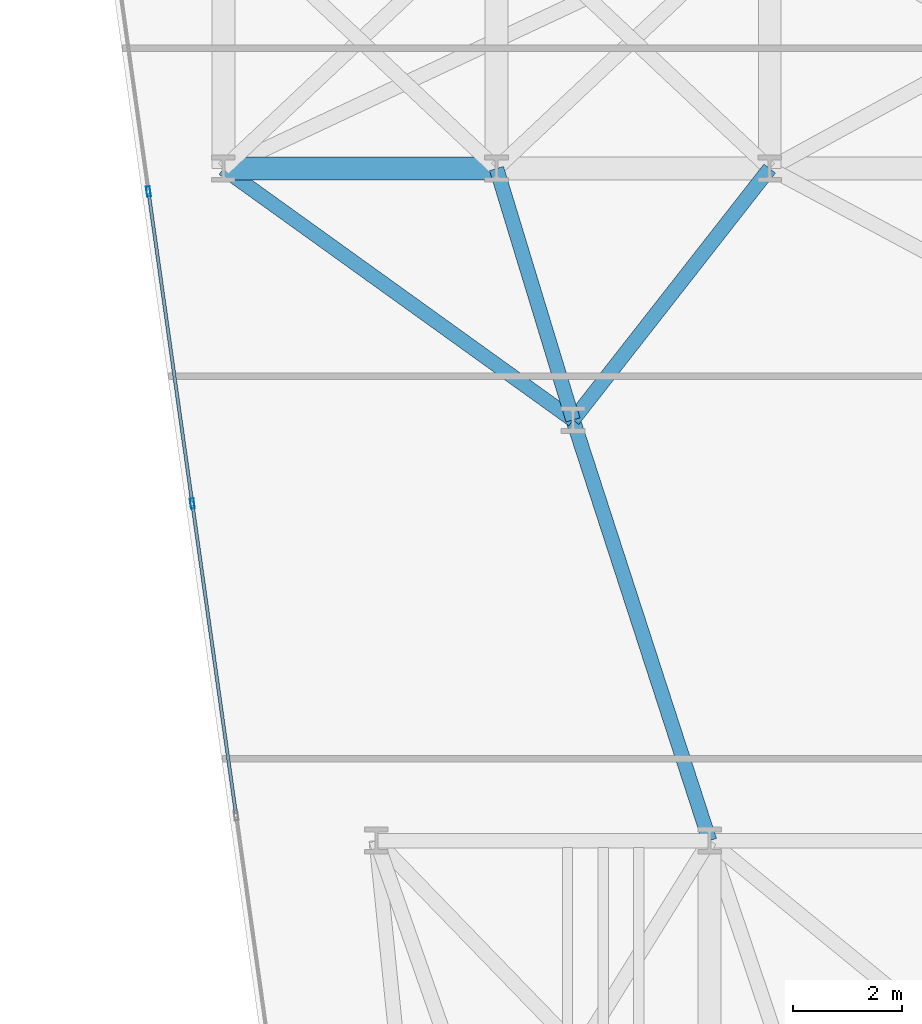
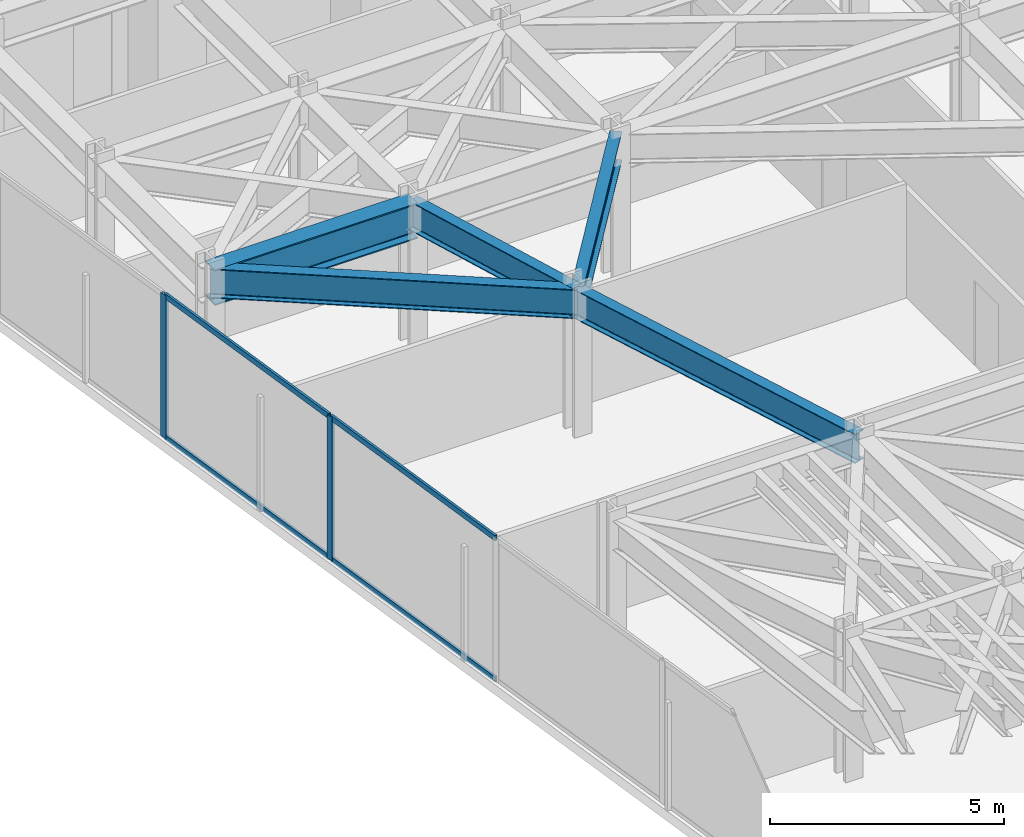
# One storey, part 7 of 24: 6 members, 5 beams, 1 element without a shape of its own.
"""IFC4 building model written with IfcOpenShell, lengths in metres."""

from ifc_helpers import new_model, si_unit, direction, frame, origin, origin_2d, place, context, subcontext, project, spatial, hollow_rectangle, i_section, extrude, material, layer, layer_set, material_profile, profile_set, type_object, element, aggregate, save


model = new_model("IFC4")

# Units and contexts
model_context = context("Model", 3, precision=1e-05, world=origin(), true_north=direction((0.0, 1.0)))
body_context = subcontext(model_context, "Body", "Model", "MODEL_VIEW")
ifc_project = project(units=[si_unit("LENGTHUNIT", "METRE"), si_unit("AREAUNIT", "SQUARE_METRE"), si_unit("VOLUMEUNIT", "CUBIC_METRE"), si_unit("PLANEANGLEUNIT", "RADIAN"), si_unit("MASSUNIT", "GRAM", prefix="KILO")], contexts=[model_context])

# Site, building, storey
site_placement = place(None, origin())
site = spatial("IfcSite", under=ifc_project, at=site_placement, CompositionType="ELEMENT")
building_placement = place(site_placement, origin())
building = spatial("IfcBuilding", under=site, at=building_placement, Name="Kravanh Interchange Tower", CompositionType="ELEMENT")
storey_placement = place(building_placement, frame((0.0, 0.0, 61.5)))
storey = spatial("IfcBuildingStorey", under=building, at=storey_placement, Name="L14", CompositionType="ELEMENT", Elevation=61.5)

# Curtain wall, members
ifc_material_1 = material(Name="Anodised Bronze Aluminium", Category="aluminium")
ifc_layer = layer(ifc_material_1, 0.179931640625)
ifc_layer_set = layer_set([ifc_layer], Name="Unitised Curtain Wall System CW-Z1 Lower Office")
curtain_wall_type = type_object("IfcCurtainWallType", Name="Unitised Curtain Wall System CW-Z1 Lower Office", PredefinedType="NOTDEFINED", material=ifc_layer_set)
curtain_wall_placement = place(storey_placement, origin())
curtain_wall = element("IfcCurtainWall", 1, at=curtain_wall_placement, inside=storey, type_object=curtain_wall_type, Name="L14 Unitised Curtain Wall CW-L14-01", PredefinedType="NOTDEFINED")
ifc_material_2 = material(Name="Anodised Bronze Aluminium", Category="aluminium")
ifc_material_profile_1 = material_profile(ifc_material_2, hollow_rectangle(XDim=0.070068359375, YDim=0.179931640625, WallThickness=0.00390625, at=origin_2d()), Name="ALU70X180X4")
ifc_profile_set_1 = profile_set([ifc_material_profile_1], Name="Anodised Bronze Aluminium")
member_type_1 = type_object("IfcMemberType", Name="Curtain Wall Mullion ALU70X180X4 Bronze", PredefinedType="MULLION", material=ifc_profile_set_1)
member_1_placement = place(storey_placement, frame((8.03271484375, 20.66845703125, 0.0), z_axis=(0.0, 0.0, 1.0), x_axis=(-0.990267585682, -0.139176538065, 0.0)))
member_1 = element("IfcMember", 2, at=member_1_placement, type_object=member_type_1, Name="CW-Z1 mullion 4", PredefinedType="MULLION", context=body_context, shape_type="SweptSolid", body=[
    extrude(hollow_rectangle(XDim=0.070068359375, YDim=0.179931640625, WallThickness=0.00390625, at=origin_2d()), origin(), (0.0, 0.0, 1.0), 3.739990234375),
])
member_2_placement = place(storey_placement, frame((7.22998046875, 26.37890625, 0.0), z_axis=(0.0, 0.0, 1.0), x_axis=(-0.990267585682, -0.139176538065, 0.0)))
member_2 = element("IfcMember", 3, at=member_2_placement, type_object=member_type_1, Name="CW-Z1 mullion 5", PredefinedType="MULLION", context=body_context, shape_type="SweptSolid", body=[
    extrude(hollow_rectangle(XDim=0.070068359375, YDim=0.179931640625, WallThickness=0.00390625, at=origin_2d()), origin(), (0.0, 0.0, 1.0), 3.739990234375),
])
ifc_material_3 = material(Name="Anodised Bronze Aluminium", Category="aluminium")
ifc_material_profile_2 = material_profile(ifc_material_3, hollow_rectangle(XDim=0.06005859375, YDim=0.139892578125, WallThickness=0.00390625, at=origin_2d()), Name="ALU60X140X4")
ifc_profile_set_2 = profile_set([ifc_material_profile_2], Name="Anodised Bronze Aluminium")
member_type_2 = type_object("IfcMemberType", Name="Curtain Wall Transom ALU60X140X4 Bronze", PredefinedType="USERDEFINED", material=ifc_profile_set_2)
member_3_placement = place(storey_placement, frame((8.830322265625, 14.992431640625, 0.030029296875), z_axis=(-0.139153051789, 0.990270886262, 0.0), x_axis=(-0.990270886262, -0.139153051789, 0.0)))
member_3 = element("IfcMember", 4, at=member_3_placement, type_object=member_type_2, Name="CW-Z1 transom 3.1", ObjectType="TRANSOM", PredefinedType="USERDEFINED", context=body_context, shape_type="SweptSolid", body=[
    extrude(hollow_rectangle(XDim=0.06005859375, YDim=0.139892578125, WallThickness=0.00390625, at=origin_2d()), origin(), (0.0, 0.0, 1.0), 5.69677734375),
])
member_4_placement = place(storey_placement, frame((8.830322265625, 14.992431640625, 3.7099609375), z_axis=(-0.139153051789, 0.990270886262, 0.0), x_axis=(-0.990270886262, -0.139153051789, 0.0)))
member_4 = element("IfcMember", 5, at=member_4_placement, type_object=member_type_2, Name="CW-Z1 transom 3.2", ObjectType="TRANSOM", PredefinedType="USERDEFINED", context=body_context, shape_type="SweptSolid", body=[
    extrude(hollow_rectangle(XDim=0.06005859375, YDim=0.139892578125, WallThickness=0.00390625, at=origin_2d()), origin(), (0.0, 0.0, 1.0), 5.69677734375),
])
member_5_placement = place(storey_placement, frame((8.02783203125, 20.703125, 0.030029296875), z_axis=(-0.139200984921, 0.990264149506, 0.0), x_axis=(-0.990264149506, -0.139200984921, 0.0)))
member_5 = element("IfcMember", 6, at=member_5_placement, type_object=member_type_2, Name="CW-Z1 transom 4.1", ObjectType="TRANSOM", PredefinedType="USERDEFINED", context=body_context, shape_type="SweptSolid", body=[
    extrude(hollow_rectangle(XDim=0.06005859375, YDim=0.139892578125, WallThickness=0.00390625, at=origin_2d()), origin(), (0.0, 0.0, 1.0), 5.696533203125),
])
member_6_placement = place(storey_placement, frame((8.02783203125, 20.703125, 3.7099609375), z_axis=(-0.139200984921, 0.990264149506, 0.0), x_axis=(-0.990264149506, -0.139200984921, 0.0)))
member_6 = element("IfcMember", 7, at=member_6_placement, type_object=member_type_2, Name="CW-Z1 transom 4.2", ObjectType="TRANSOM", PredefinedType="USERDEFINED", context=body_context, shape_type="SweptSolid", body=[
    extrude(hollow_rectangle(XDim=0.06005859375, YDim=0.139892578125, WallThickness=0.00390625, at=origin_2d()), origin(), (0.0, 0.0, 1.0), 5.696533203125),
])
aggregate(curtain_wall, [member_1, member_2, member_3, member_4, member_5, member_6])

# Beams
ifc_material_4 = material(Name="Structural Steel S355", Category="steel")
ifc_material_profile_3 = material_profile(ifc_material_4, i_section(OverallWidth=0.41796875, OverallDepth=0.927001953125, WebThickness=0.019287109375, FlangeThickness=0.031982421875, FilletRadius=0.028076171875, at=origin_2d()), Name="W36X231")
ifc_profile_set_3 = profile_set([ifc_material_profile_3], Name="Structural Steel S355")
beam_type_1 = type_object("IfcBeamType", Name="Floor Beam W36X231 Structural Steel S355", PredefinedType="BEAM", material=ifc_profile_set_3)
beam_1_placement = place(storey_placement, frame((8.60009765625, 26.800048828125, 3.276611328125), z_axis=(1.0, 0.0, 0.0), x_axis=(0.0, 1.0, 0.0)))
element("IfcBeam", 8, at=beam_1_placement, inside=storey, type_object=beam_type_1, Name="L14 Primary Floor Girder 67", PredefinedType="BEAM", context=body_context, shape_type="SweptSolid", body=[
    extrude(i_section(OverallWidth=0.41796875, OverallDepth=0.927001953125, WebThickness=0.019287109375, FlangeThickness=0.031982421875, FilletRadius=0.028076171875, at=origin_2d()), origin(), (0.0, 0.0, 1.0), 5.0),
])
ifc_material_5 = material(Name="Structural Steel S355", Category="steel")
ifc_material_profile_4 = material_profile(ifc_material_5, i_section(OverallWidth=0.26708984375, OverallDepth=0.761962890625, WebThickness=0.014404296875, FlangeThickness=0.021484375, FilletRadius=0.02490234375, at=origin_2d()), Name="W30X116")
ifc_profile_set_4 = profile_set([ifc_material_profile_4], Name="Structural Steel S355")
beam_type_2 = type_object("IfcBeamType", Name="Floor Spandrel W30X116 Structural Steel S355", PredefinedType="SPANDREL", material=ifc_profile_set_4)
beam_2_placement = place(storey_placement, frame((15.0, 22.199951171875, 3.35888671875), z_axis=(-0.291137370727, 0.956681259023, 0.0), x_axis=(-0.956681259023, -0.291137370727, 0.0)))
element("IfcBeam", 9, at=beam_2_placement, inside=storey, type_object=beam_type_2, Name="L14 Perimeter Spandrel 50", PredefinedType="SPANDREL", context=body_context, shape_type="SweptSolid", body=[
    extrude(i_section(OverallWidth=0.26708984375, OverallDepth=0.761962890625, WebThickness=0.014404296875, FlangeThickness=0.021484375, FilletRadius=0.02490234375, at=origin_2d()), origin(), (0.0, 0.0, 1.0), 4.808349609375),
])
beam_3_placement = place(storey_placement, frame((15.0, 22.199951171875, 3.35888671875), z_axis=(0.616310515553, 0.787503237085, 0.0), x_axis=(-0.787503237085, 0.616310515553, 0.0)))
element("IfcBeam", 10, at=beam_3_placement, inside=storey, type_object=beam_type_2, Name="L14 Perimeter Spandrel 51", PredefinedType="SPANDREL", context=body_context, shape_type="SweptSolid", body=[
    extrude(i_section(OverallWidth=0.26708984375, OverallDepth=0.761962890625, WebThickness=0.014404296875, FlangeThickness=0.021484375, FilletRadius=0.02490234375, at=origin_2d()), origin(), (0.0, 0.0, 1.0), 5.84130859375),
])
beam_4_placement = place(storey_placement, frame((15.0, 22.199951171875, 3.35888671875), z_axis=(-0.812005278585, 0.583650089994, 0.0), x_axis=(-0.583650089994, -0.812005278585, 0.0)))
element("IfcBeam", 11, at=beam_4_placement, inside=storey, type_object=beam_type_2, Name="L14 Perimeter Spandrel 52", PredefinedType="SPANDREL", context=body_context, shape_type="SweptSolid", body=[
    extrude(i_section(OverallWidth=0.26708984375, OverallDepth=0.761962890625, WebThickness=0.014404296875, FlangeThickness=0.021484375, FilletRadius=0.02490234375, at=origin_2d()), origin(), (0.0, 0.0, 1.0), 7.881591796875),
])
beam_5_placement = place(storey_placement, frame((15.0, 22.199951171875, 3.35888671875), z_axis=(0.30880852537, -0.951124226723, 0.0), x_axis=(0.951124226723, 0.30880852537, 0.0)))
element("IfcBeam", 12, at=beam_5_placement, inside=storey, type_object=beam_type_2, Name="L14 Perimeter Spandrel 53", PredefinedType="SPANDREL", context=body_context, shape_type="SweptSolid", body=[
    extrude(i_section(OverallWidth=0.26708984375, OverallDepth=0.761962890625, WebThickness=0.014404296875, FlangeThickness=0.021484375, FilletRadius=0.02490234375, at=origin_2d()), origin(), (0.0, 0.0, 1.0), 8.095703125),
])

save(model, "model.ifc")
